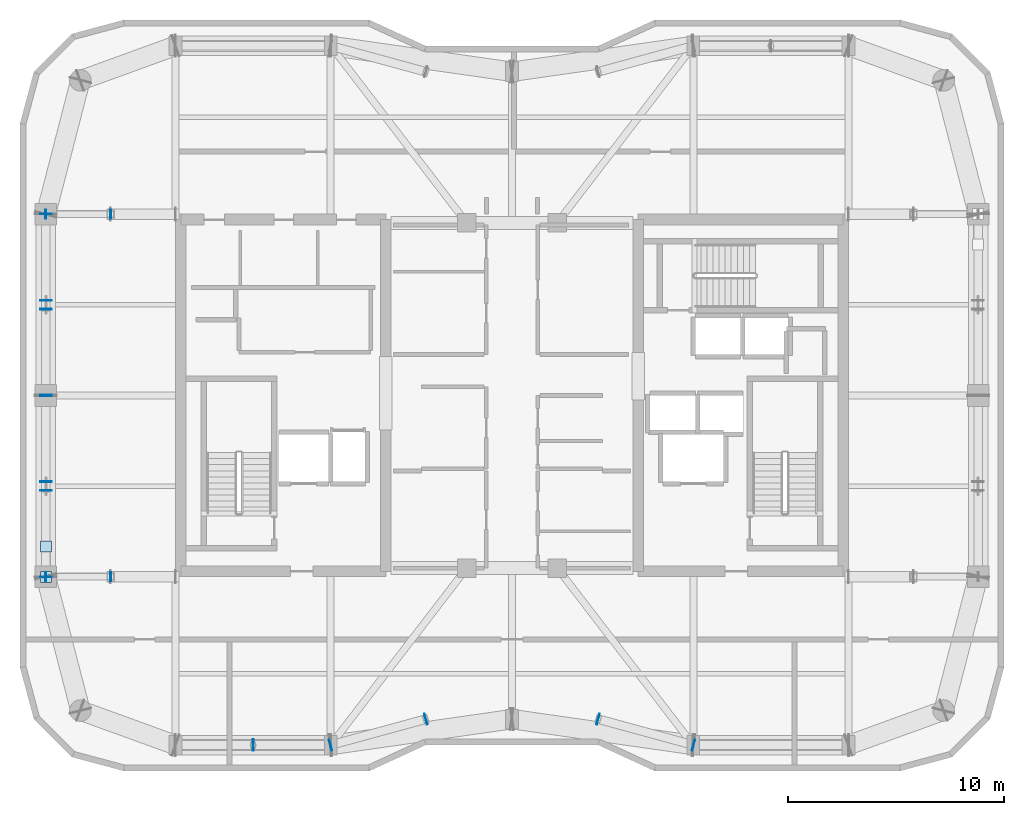
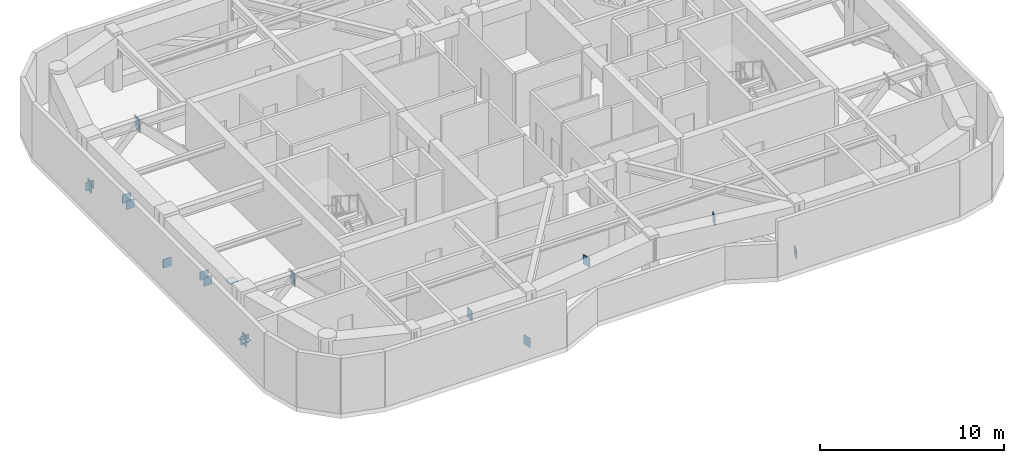
# One storey, part 6 of 11: 19 plates.
"""IFC4 building model written with IfcOpenShell, lengths in metres."""

from ifc_helpers import new_model, si_unit, direction, frame, origin, origin_2d, place, context, subcontext, project, spatial, rectangle, extrude, material, layer, layer_set, type_object, element, save


model = new_model("IFC4")

# Units and contexts
model_context = context("Model", 3, precision=1e-05, world=origin(), true_north=direction((0.0, 1.0)))
body_context = subcontext(model_context, "Body", "Model", "MODEL_VIEW")
ifc_project = project(units=[si_unit("LENGTHUNIT", "METRE"), si_unit("AREAUNIT", "SQUARE_METRE"), si_unit("VOLUMEUNIT", "CUBIC_METRE"), si_unit("PLANEANGLEUNIT", "RADIAN"), si_unit("MASSUNIT", "GRAM", prefix="KILO")], contexts=[model_context])

# Site, building, storey
site_placement = place(None, origin())
site = spatial("IfcSite", under=ifc_project, at=site_placement, CompositionType="ELEMENT")
building_placement = place(site_placement, origin())
building = spatial("IfcBuilding", under=site, at=building_placement, Name="Kiyonajd Concourse Tower", CompositionType="ELEMENT")
storey_placement = place(building_placement, frame((0.0, 0.0, 282.300048828125)))
storey = spatial("IfcBuildingStorey", under=building, at=storey_placement, Name="L71", CompositionType="ELEMENT", Elevation=282.300048828125)

# Plates
ifc_material = material(Name="Steel ASTM A572 Grade 50", Category="steel")
ifc_layer_1 = layer(ifc_material, 0.028076171875)
ifc_layer_set_1 = layer_set([ifc_layer_1], Name="Steel ASTM A572 Grade 50")
plate_type_1 = type_object("IfcPlateType", Name="PL-CAP-450", PredefinedType="USERDEFINED", material=ifc_layer_set_1)
plate_placement = place(storey_placement, frame((36.00830078125, 19.800048828125, 3.001708984375), z_axis=(0.0, 0.0, 1.0), x_axis=(1.0, 0.0, 0.0)))
element("IfcPlate", 1, at=plate_placement, inside=storey, type_object=plate_type_1, Name="L71 Hollow Brace Top Cap Plate PBS", ObjectType="CAP PLATE", PredefinedType="USERDEFINED", context=body_context, shape_type="SweptSolid", body=[
    extrude(rectangle(XDim=0.035888671875, YDim=0.52587890625, at=origin_2d()), origin(), (0.0, 0.0, 1.0), 0.6708984375),
])
for number, where, z_axis, x_axis, name in (
    (2, (26.39990234375, 27.595458984375, 0.27587890625), (0.0, 0.0, 1.0), (1.0, 0.0, 0.0), "L71 Hollow Brace End Cap Plate PBW"),
    (3, (26.39990234375, 29.004638671875, 3.32568359375), (0.0, 0.0, 1.0), (1.0, 0.0, 0.0), "L71 Hollow Brace Top Cap Plate PBW"),
):
    element("IfcPlate", number, at=place(storey_placement, frame(where, z_axis=z_axis, x_axis=x_axis)), inside=storey, type_object=plate_type_1, Name=name, ObjectType="CAP PLATE", PredefinedType="USERDEFINED", context=body_context, shape_type="SweptSolid", body=[
        extrude(rectangle(XDim=0.506103515625, YDim=0.506103515625, at=origin_2d()), origin(), (0.0, 0.0, 1.0), 0.028076171875),
    ])
ifc_layer_2 = layer(ifc_material, 0.031982421875)
ifc_layer_set_2 = layer_set([ifc_layer_2], Name="Steel ASTM A572 Grade 50")
plate_type_2 = type_object("IfcPlateType", Name="PL-CAP-540", PredefinedType="USERDEFINED", material=ifc_layer_set_2)
for number, where, z_axis, x_axis, name in (
    (4, (29.40771484375, 27.60009765625, 2.94775390625), (0.0, 0.0, 1.0), (1.0, 0.0, 0.0), "L71 Outrigger End Cap Plate 02"),
    (5, (26.392333984375, 27.60009765625, -0.09765625), (0.0, 0.0, 1.0), (-1.0, 0.0, 0.0), "L71 Outrigger Far End Cap Plate 02"),
    (6, (29.40771484375, 44.39990234375, 2.94775390625), (0.0, 0.0, 1.0), (1.0, 0.0, 0.0), "L71 Outrigger End Cap Plate 04"),
    (7, (26.392333984375, 44.39990234375, -0.09765625), (0.0, 0.0, 1.0), (-1.0, 0.0, 0.0), "L71 Outrigger Far End Cap Plate 04"),
):
    element("IfcPlate", number, at=place(storey_placement, frame(where, z_axis=z_axis, x_axis=x_axis)), inside=storey, type_object=plate_type_2, Name=name, ObjectType="CAP PLATE", PredefinedType="USERDEFINED", context=body_context, shape_type="SweptSolid", body=[
        extrude(rectangle(XDim=0.035888671875, YDim=0.419921875, at=origin_2d()), origin(), (0.0, 0.0, 1.0), 0.780029296875),
    ])
for number, where, z_axis, x_axis, name in (
    (8, (39.59130859375, 19.797607421875, -0.01611328125), (0.0, 0.0, 1.0), (-0.964741401527, -0.263199597605, 0.0), "L71 Outrigger End Cap Plate 10"),
    (9, (44.0087890625, 21.00244140625, 3.02587890625), (0.0, 0.0, 1.0), (0.964741401527, 0.263199597605, 0.0), "L71 Outrigger Far End Cap Plate 10"),
    (10, (51.9912109375, 21.00244140625, 3.02587890625), (0.0, 0.0, 1.0), (-0.964741401527, 0.263199597605, 0.0), "L71 Outrigger End Cap Plate 11"),
    (11, (56.40869140625, 19.797607421875, -0.01611328125), (0.0, 0.0, 1.0), (0.964741401527, -0.263199597605, 0.0), "L71 Outrigger Far End Cap Plate 11"),
):
    element("IfcPlate", number, at=place(storey_placement, frame(where, z_axis=z_axis, x_axis=x_axis)), inside=storey, type_object=plate_type_2, Name=name, ObjectType="CAP PLATE", PredefinedType="USERDEFINED", context=body_context, shape_type="SweptSolid", body=[
        extrude(rectangle(XDim=0.035888671875, YDim=0.52001953125, at=origin_2d()), origin(), (0.0, 0.0, 1.0), 0.6201171875),
    ])
for number, where, z_axis, x_axis, name in (
    (12, (26.39990234375, 36.01025390625, 0.013671875), (0.0, 0.0, 1.0), (0.0, 1.0, 0.0), "L71 X Brace Far End Cap W1"),
    (13, (26.39990234375, 27.589599609375, 0.013671875), (0.0, 0.0, 1.0), (0.0, -1.0, 0.0), "L71 Split X Brace Outer Cap W1"),
    (14, (26.39990234375, 31.593994140625, 1.458251953125), (0.0, 0.0, 1.0), (0.0, 1.0, 0.0), "L71 Split X Brace Node Collar W1"),
    (15, (26.39990234375, 32.006103515625, 1.606689453125), (0.0, 0.0, 1.0), (0.0, -1.0, 0.0), "L71 Split X Brace Node Collar W1"),
    (16, (26.39990234375, 44.410400390625, 0.013671875), (0.0, 0.0, 1.0), (0.0, 1.0, 0.0), "L71 X Brace Far End Cap W2"),
    (17, (26.39990234375, 35.98974609375, 0.013671875), (0.0, 0.0, 1.0), (0.0, -1.0, 0.0), "L71 Split X Brace Outer Cap W2"),
    (18, (26.39990234375, 39.993896484375, 1.458251953125), (0.0, 0.0, 1.0), (0.0, 1.0, 0.0), "L71 Split X Brace Node Collar W2"),
    (19, (26.39990234375, 40.406005859375, 1.606689453125), (0.0, 0.0, 1.0), (0.0, -1.0, 0.0), "L71 Split X Brace Node Collar W2"),
):
    element("IfcPlate", number, at=place(storey_placement, frame(where, z_axis=z_axis, x_axis=x_axis)), inside=storey, type_object=plate_type_2, Name=name, ObjectType="CAP PLATE", PredefinedType="USERDEFINED", context=body_context, shape_type="SweptSolid", body=[
        extrude(rectangle(XDim=0.035888671875, YDim=0.52001953125, at=origin_2d()), origin(), (0.0, 0.0, 1.0), 0.56494140625),
    ])

save(model, "model.ifc")
